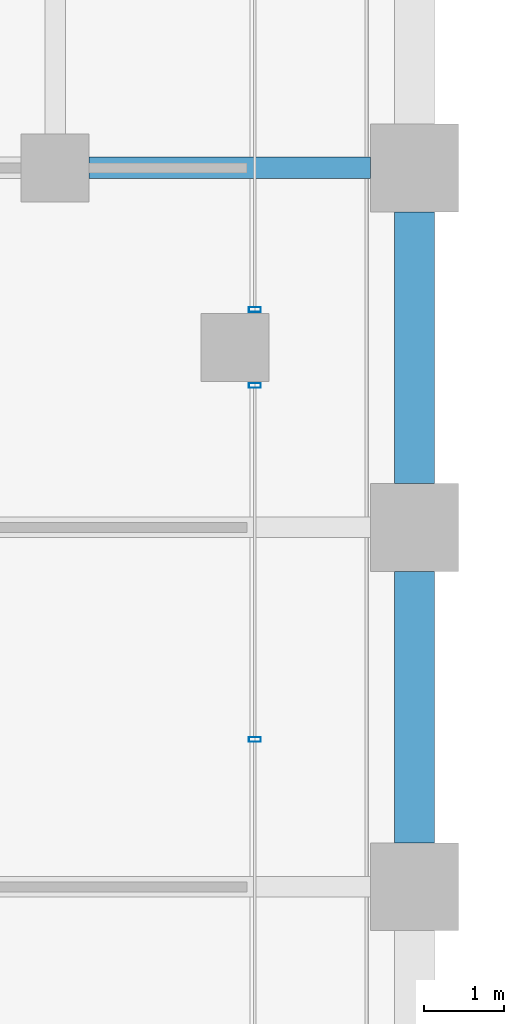
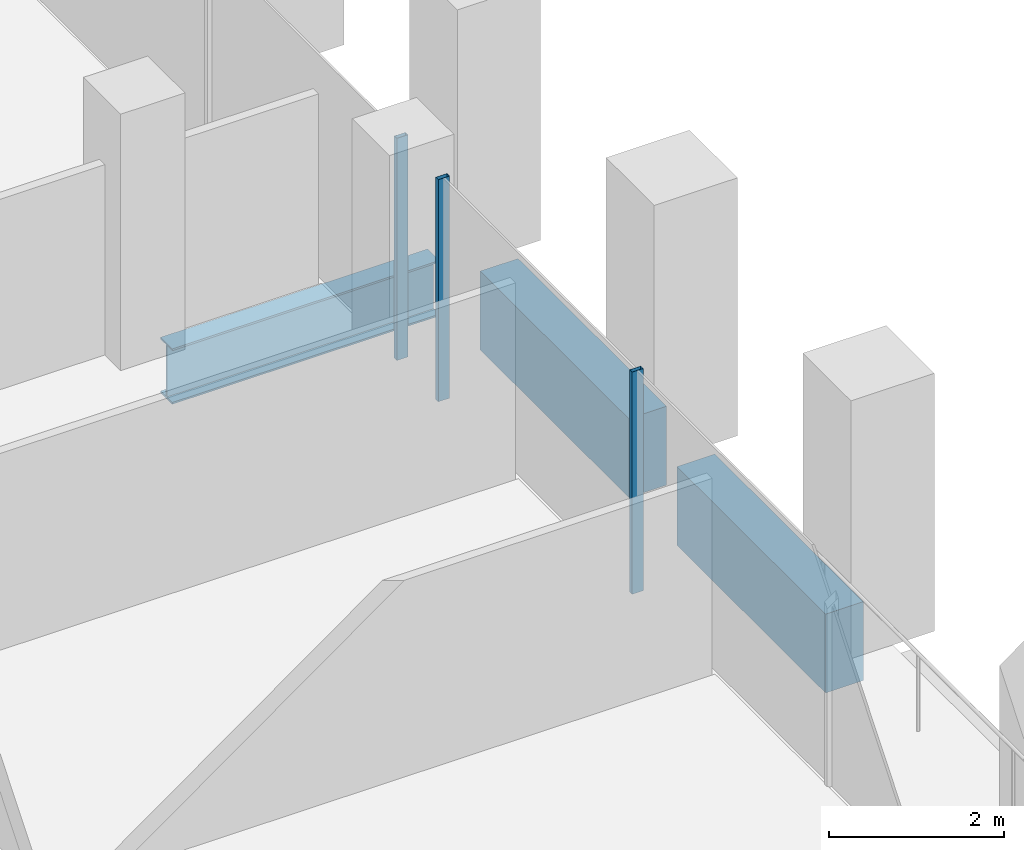
# One storey, part 22 of 56: 3 beams, 3 members, 2 elements without a shape of their own.
"""IFC4 building model written with IfcOpenShell, lengths in metres."""

import ifcopenshell
import ifcopenshell.guid

model = None  # the IFC model being written
_history = None  # IfcOwnerHistory: only IFC2X3 demands one
_inside = {}  # id of a spatial element -> (the spatial element, [elements in it])
_under = {}  # id of a project, library or spatial element -> (it, [spatial elements below it])
_declared = {}  # id of a project -> (the project, [libraries it declares])
_typed = {}  # id of a type object -> (the type object, [elements of that type])
_made_of = {}  # id of a material, layer set ... -> (it, [elements and type objects made of it])


def new_model(schema):
    """Start an empty IFC model of exactly this schema.

    Asked for "IFC4X3", IfcOpenShell would pick the latest addendum, in which some entities
    have other attributes; the version numbers below select the first issue.
    IFC2X3 requires an IfcOwnerHistory on every rooted entity: one is made here for all.
    """
    global model, _history
    if schema == "IFC4X3":
        model = ifcopenshell.file(schema_version=(4, 3, 0, 0))
    else:
        model = ifcopenshell.file(schema=schema)
    _inside.clear()
    _under.clear()
    _declared.clear()
    _typed.clear()
    _made_of.clear()
    _history = None
    if model.schema == "IFC2X3":
        org = make("IfcOrganization", Name="unknown")
        user = make(
            "IfcPersonAndOrganization",
            ThePerson=make("IfcPerson", FamilyName="unknown"),
            TheOrganization=org,
        )
        app = make(
            "IfcApplication",
            ApplicationDeveloper=org,
            Version="unknown",
            ApplicationFullName="unknown",
            ApplicationIdentifier="unknown",
        )
        _history = make(
            "IfcOwnerHistory",
            OwningUser=user,
            OwningApplication=app,
            ChangeAction="ADDED",
            CreationDate=0,
        )
    return model


def make(cls, **values):
    """One entity of the class cls with the attributes given. An attribute that is None is left unset."""
    return model.create_entity(
        cls, **{name: value for name, value in values.items() if value is not None}
    )


def rooted(cls, **values):
    """An entity with a GlobalId (a new one), such as an element, a storey or a relation."""
    return make(cls, GlobalId=ifcopenshell.guid.new(), OwnerHistory=_history, **values)


def si_unit(unit_type, name, prefix=None):
    """IfcSIUnit, for example si_unit("LENGTHUNIT", "METRE", prefix="MILLI")."""
    return make("IfcSIUnit", UnitType=unit_type, Prefix=prefix, Name=name)


def assignment(units):
    """IfcUnitAssignment: the units of a project."""
    return None if units is None else make("IfcUnitAssignment", Units=units)


def point(xyz):
    """IfcCartesianPoint."""
    return None if xyz is None else make("IfcCartesianPoint", Coordinates=xyz)


def direction(xyz):
    """IfcDirection."""
    return None if xyz is None else make("IfcDirection", DirectionRatios=xyz)


def frame(location, z_axis=None, x_axis=None):
    """IfcAxis2Placement3D, a coordinate frame: its origin and axes. An axis left out is left unset."""
    return make(
        "IfcAxis2Placement3D",
        Location=point(location),
        Axis=direction(z_axis),
        RefDirection=direction(x_axis),
    )


def frame_2d(location, x_axis=None):
    """IfcAxis2Placement2D, a coordinate frame in the plane: its origin and x axis."""
    return make(
        "IfcAxis2Placement2D", Location=point(location), RefDirection=direction(x_axis)
    )


def origin():
    """The frame at (0, 0, 0) with its axes left unset."""
    return frame((0.0, 0.0, 0.0))


def origin_2d():
    """The frame at (0, 0) in the plane with its x axis left unset."""
    return frame_2d((0.0, 0.0))


def place(relative_to, where):
    """IfcLocalPlacement: puts the frame where relative to a parent placement (None: the world)."""
    return make(
        "IfcLocalPlacement", PlacementRelTo=relative_to, RelativePlacement=where
    )


def context(
    kind, dimensions, precision=None, world=None, true_north=None, identifier=None
):
    """IfcGeometricRepresentationContext, for example the 3D "Model" context."""
    return make(
        "IfcGeometricRepresentationContext",
        ContextIdentifier=identifier,
        ContextType=kind,
        CoordinateSpaceDimension=dimensions,
        Precision=precision,
        WorldCoordinateSystem=world,
        TrueNorth=true_north,
    )


def subcontext(parent, identifier, kind, view, scale=None):
    """IfcGeometricRepresentationSubContext, for example "Body" below "Model"."""
    return make(
        "IfcGeometricRepresentationSubContext",
        ContextIdentifier=identifier,
        ContextType=kind,
        ParentContext=parent,
        TargetScale=scale,
        TargetView=view,
    )


def project(units=None, contexts=None):
    """IfcProject with its units and contexts."""
    return rooted(
        "IfcProject",
        Name="project",
        RepresentationContexts=contexts,
        UnitsInContext=assignment(units),
    )


def spatial(cls, under=None, at=None, **own):
    """A site, building, storey or space (cls), placed at a placement, below another one or the project."""
    s = rooted(cls, ObjectPlacement=at, **own)
    if under is not None:
        _under.setdefault(under.id(), (under, []))[1].append(s)
    return s


def profile(cls, at=None, kind="AREA", **sizes):
    """A parametric profile (cls). Its sizes go by their IFC names, for example OverallWidth=200.0."""
    return make(cls, ProfileType=kind, Position=at, **sizes)


def rectangle(**sizes):
    """IfcRectangleProfileDef."""
    return profile("IfcRectangleProfileDef", **sizes)


def hollow_rectangle(**sizes):
    """IfcRectangleHollowProfileDef."""
    return profile("IfcRectangleHollowProfileDef", **sizes)


def i_section(**sizes):
    """IfcIShapeProfileDef."""
    return profile("IfcIShapeProfileDef", **sizes)


def extrude(swept, where, along, depth):
    """IfcExtrudedAreaSolid: the profile swept, set in the frame where, extruded along a direction by depth."""
    return make(
        "IfcExtrudedAreaSolid",
        SweptArea=swept,
        Position=where,
        ExtrudedDirection=direction(along),
        Depth=depth,
    )


def shape(context_of_items, identifier, shape_type, items):
    """IfcShapeRepresentation: the items that make up one representation, for example the "Body"."""
    return make(
        "IfcShapeRepresentation",
        ContextOfItems=context_of_items,
        RepresentationIdentifier=identifier,
        RepresentationType=shape_type,
        Items=items,
    )


def material(Name=None, Category=None):
    """IfcMaterial."""
    return make("IfcMaterial", Name=Name, Category=Category)


def material_profile(
    of_material, cross_section, Name=None, Category=None, Priority=None
):
    """IfcMaterialProfile: a cross section and its material."""
    return make(
        "IfcMaterialProfile",
        Name=Name,
        Material=of_material,
        Profile=cross_section,
        Priority=Priority,
        Category=Category,
    )


def profile_set(profiles, Name=None, composite=None):
    """IfcMaterialProfileSet."""
    return make(
        "IfcMaterialProfileSet",
        Name=Name,
        MaterialProfiles=profiles,
        CompositeProfile=composite,
    )


def made_of(thing, what):
    """Note that an element or type object is made of a material, layer set ...; save() writes the relation."""
    if what is not None:
        _made_of.setdefault(what.id(), (what, []))[1].append(thing)
    return thing


def type_object(cls, material=None, **own):
    """A type object (cls), such as IfcWallType, which elements share."""
    return made_of(rooted(cls, **own), material)


def element(
    cls,
    number,
    at=None,
    inside=None,
    cuts=None,
    type_object=None,
    material=None,
    context=None,
    identifier="Body",
    shape_type=None,
    held_by="IfcProductDefinitionShape",
    body=None,
    shapes=None,
    **own,
):
    """One element of the class cls, such as IfcWall. Its Tag is "e" and its number.

    at: its placement. inside: the storey or other place that contains it. cuts: it is an
    opening in that element (IfcRelVoidsElement). A single representation is given by context,
    identifier, shape_type and body (its items); several are given by shapes. held_by: the class
    of the entity that holds the representations. save() writes the other relations.
    """
    e = rooted(cls, Tag="e%d" % number, ObjectPlacement=at, **own)
    if body is not None:
        shapes = [shape(context, identifier, shape_type, body)]
    if shapes is not None:
        e.Representation = make(held_by, Representations=shapes)
    if inside is not None:
        _inside.setdefault(inside.id(), (inside, []))[1].append(e)
    if cuts is not None:
        rooted(
            "IfcRelVoidsElement", RelatingBuildingElement=cuts, RelatedOpeningElement=e
        )
    if type_object is not None:
        _typed.setdefault(type_object.id(), (type_object, []))[1].append(e)
    return made_of(e, material)


def aggregate(whole, parts):
    """IfcRelAggregates: a whole, such as a stair, and the parts it consists of."""
    return rooted("IfcRelAggregates", RelatingObject=whole, RelatedObjects=parts)


def save(model, path):
    """Write the relations noted so far, then the file.

    IfcRelAggregates (storeys below a building ...), IfcRelContainedInSpatialStructure (elements
    in a storey), IfcRelDefinesByType, IfcRelAssociatesMaterial and IfcRelDeclares: one each for
    every whole, place, type object, material and project.
    """
    for whole, parts in _under.values():
        aggregate(whole, parts)
    for where, things in _inside.values():
        rooted(
            "IfcRelContainedInSpatialStructure",
            RelatedElements=things,
            RelatingStructure=where,
        )
    for kind, things in _typed.values():
        rooted("IfcRelDefinesByType", RelatedObjects=things, RelatingType=kind)
    for what, things in _made_of.values():
        rooted("IfcRelAssociatesMaterial", RelatedObjects=things, RelatingMaterial=what)
    for by, libraries in _declared.values():
        rooted("IfcRelDeclares", RelatingContext=by, RelatedDefinitions=libraries)
    model.write(path)


model = new_model("IFC4")

# Units and contexts
model_context = context("Model", 3, precision=1e-05, world=origin(), true_north=direction((0.0, 1.0)))
body_context = subcontext(model_context, "Body", "Model", "MODEL_VIEW")
ifc_project = project(units=[si_unit("LENGTHUNIT", "METRE"), si_unit("AREAUNIT", "SQUARE_METRE"), si_unit("VOLUMEUNIT", "CUBIC_METRE"), si_unit("PLANEANGLEUNIT", "RADIAN"), si_unit("MASSUNIT", "GRAM", prefix="KILO")], contexts=[model_context])

# Site, building, storey
site_placement = place(None, origin())
site = spatial("IfcSite", under=ifc_project, at=site_placement, CompositionType="ELEMENT")
building_placement = place(site_placement, origin())
building = spatial("IfcBuilding", under=site, at=building_placement, Name="Altepetl Exchange Towers", CompositionType="ELEMENT")
storey_placement = place(building_placement, frame((0.0, 0.0, 54.60009765625)))
storey = spatial("IfcBuildingStorey", under=building, at=storey_placement, Name="L12", CompositionType="ELEMENT", Elevation=54.60009765625)

# Beam
ifc_material_1 = material(Name="Steel S355", Category="steel")
ifc_material_profile_1 = material_profile(ifc_material_1, i_section(OverallWidth=0.26806640625, OverallDepth=0.77392578125, WebThickness=0.015380859375, FlangeThickness=0.025390625, at=origin_2d()), Name="W30X132")
ifc_profile_set_1 = profile_set([ifc_material_profile_1], Name="Steel S355")
beam_type_1 = type_object("IfcBeamType", Name="Girder W30X132", PredefinedType="BEAM", material=ifc_profile_set_1)
beam_placement = place(storey_placement, frame((67.925048828125, 58.5, -0.537109375), z_axis=(1.0, 0.0, 0.0), x_axis=(0.0, 1.0, 0.0)))
element("IfcBeam", 1, at=beam_placement, inside=storey, type_object=beam_type_1, Name="gd:A:L12:002", PredefinedType="BEAM", context=body_context, shape_type="SweptSolid", body=[
    extrude(i_section(OverallWidth=0.26806640625, OverallDepth=0.77392578125, WebThickness=0.015380859375, FlangeThickness=0.025390625, at=origin_2d()), origin(), (0.0, 0.0, 1.0), 3.52490234375),
])

# Curtain wall, members
ifc_material_2 = material(Name="Aluminium 6063-T6 glazing", Category="aluminium")
curtain_wall_type = type_object("IfcCurtainWallType", Name="Loggia glazing system", PredefinedType="NOTDEFINED", material=ifc_material_2)
curtain_wall_1_placement = place(storey_placement, origin())
curtain_wall_1 = element("IfcCurtainWall", 2, at=curtain_wall_1_placement, inside=storey, type_object=curtain_wall_type, Name="CW1 run", PredefinedType="NOTDEFINED")
ifc_material_3 = material(Name="Aluminium 6063-T6", Category="aluminium")
ifc_material_profile_2 = material_profile(ifc_material_3, hollow_rectangle(XDim=0.06005859375, YDim=0.14990234375, WallThickness=0.0029296875, at=origin_2d()), Name="Mullion 60x150 aluminium")
ifc_profile_set_2 = profile_set([ifc_material_profile_2], Name="Aluminium 6063-T6")
member_type = type_object("IfcMemberType", Name="Mullion 60x150 aluminium", PredefinedType="MULLION", material=ifc_profile_set_2)
member_1_placement = place(storey_placement, frame((70.0, 51.343994140625, 0.0), z_axis=(0.0, 0.0, 1.0), x_axis=(0.0, 1.0, 0.0)))
member_1 = element("IfcMember", 3, at=member_1_placement, type_object=member_type, Name="MU1 mullion", PredefinedType="MULLION", context=body_context, shape_type="SweptSolid", body=[
    extrude(hollow_rectangle(XDim=0.06005859375, YDim=0.14990234375, WallThickness=0.0029296875, at=origin_2d()), origin(), (0.0, 0.0, 1.0), 3.099853515625),
])
member_2_placement = place(storey_placement, frame((70.0, 55.77490234375, 0.0), z_axis=(0.0, 0.0, 1.0), x_axis=(0.0, 1.0, 0.0)))
member_2 = element("IfcMember", 4, at=member_2_placement, type_object=member_type, Name="MU1 mullion", PredefinedType="MULLION", context=body_context, shape_type="SweptSolid", body=[
    extrude(hollow_rectangle(XDim=0.06005859375, YDim=0.14990234375, WallThickness=0.0029296875, at=origin_2d()), origin(), (0.0, 0.0, 1.0), 3.099853515625),
])
aggregate(curtain_wall_1, [member_1, member_2])

# Curtain wall, member
curtain_wall_2_placement = place(storey_placement, origin())
curtain_wall_2 = element("IfcCurtainWall", 5, at=curtain_wall_2_placement, inside=storey, type_object=curtain_wall_type, Name="CW1 run", PredefinedType="NOTDEFINED")
member_3_placement = place(storey_placement, frame((70.0, 56.72509765625, 0.0), z_axis=(0.0, 0.0, 1.0), x_axis=(0.0, 1.0, 0.0)))
member_3 = element("IfcMember", 6, at=member_3_placement, type_object=member_type, Name="MU1 mullion", PredefinedType="MULLION", context=body_context, shape_type="SweptSolid", body=[
    extrude(hollow_rectangle(XDim=0.06005859375, YDim=0.14990234375, WallThickness=0.0029296875, at=origin_2d()), origin(), (0.0, 0.0, 1.0), 3.099853515625),
])
aggregate(curtain_wall_2, [member_3])

# Beams
ifc_material_4 = material(Name="Concrete C50/60 precast with cantera amarilla facing", Category="concrete")
ifc_material_profile_3 = material_profile(ifc_material_4, rectangle(XDim=0.5, YDim=1.10009765625, at=origin_2d()), Name="500 x 1100")
ifc_profile_set_3 = profile_set([ifc_material_profile_3], Name="Concrete C50/60 precast with cantera amarilla facing")
beam_type_2 = type_object("IfcBeamType", Name="Spandrel beam 500x1100 cantera amarilla", PredefinedType="SPANDREL", material=ifc_profile_set_3)
for number, where, z_axis, x_axis, name in (
    (7, (72.0, 50.050048828125, -0.7001953125), (0.0, 1.0, 0.0), (-1.0, 0.0, 0.0), "sp:A:L12:016"),
    (8, (72.0, 54.550048828125, -0.7001953125), (0.0, 1.0, 0.0), (-1.0, 0.0, 0.0), "sp:A:L12:017"),
):
    element("IfcBeam", number, at=place(storey_placement, frame(where, z_axis=z_axis, x_axis=x_axis)), inside=storey, type_object=beam_type_2, Name=name, PredefinedType="SPANDREL", context=body_context, shape_type="SweptSolid", body=[
        extrude(rectangle(XDim=0.5, YDim=1.10009765625, at=origin_2d()), origin(), (0.0, 0.0, 1.0), 3.39990234375),
    ])

save(model, "model.ifc")
